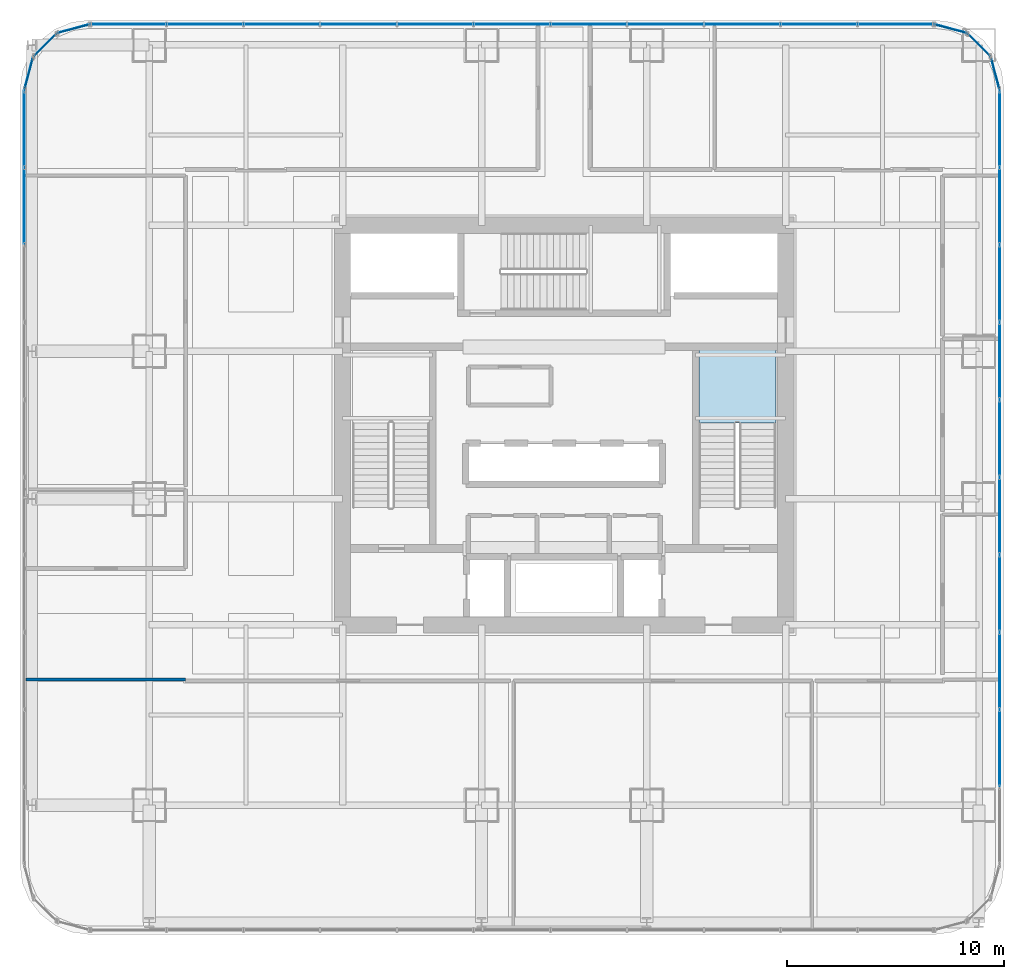
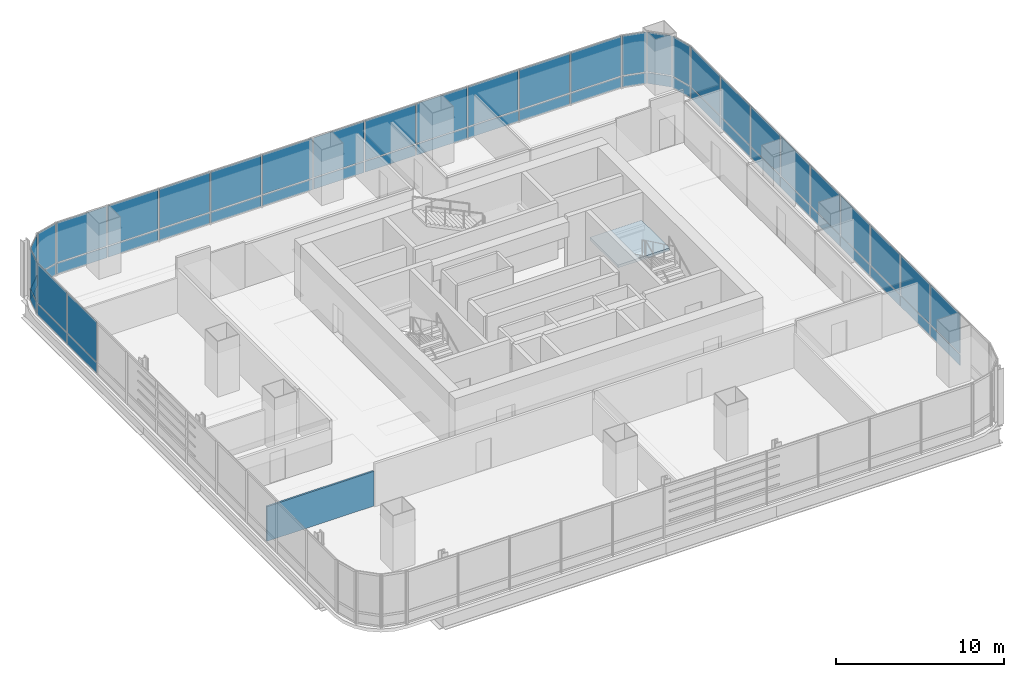
# One storey, part 27 of 36: 56 plates, 1 slab, 1 wall, 10 elements without a shape of their own.
"""IFC4 building model written with IfcOpenShell, lengths in metres."""

from ifc_helpers import new_model, si_unit, direction, frame, frame_2d, origin, origin_2d, place, context, subcontext, project, spatial, polyline, rectangle, outline, extrude, material, layer, layer_set, type_object, element, aggregate, save


model = new_model("IFC4")

# Units and contexts
model_context = context("Model", 3, precision=1e-05, world=origin(), true_north=direction((0.0, 1.0)))
body_context = subcontext(model_context, "Body", "Model", "MODEL_VIEW")
ifc_project = project(units=[si_unit("LENGTHUNIT", "METRE"), si_unit("AREAUNIT", "SQUARE_METRE"), si_unit("VOLUMEUNIT", "CUBIC_METRE"), si_unit("PLANEANGLEUNIT", "RADIAN"), si_unit("MASSUNIT", "GRAM", prefix="KILO")], contexts=[model_context])

# Site, building, storey
site_placement = place(None, origin())
site = spatial("IfcSite", under=ifc_project, at=site_placement, CompositionType="ELEMENT")
building_placement = place(site_placement, origin())
building = spatial("IfcBuilding", under=site, at=building_placement, Name="Punatoya Terracotta Tower", CompositionType="ELEMENT")
storey_placement = place(building_placement, frame((0.0, 0.0, 32.25)))
storey = spatial("IfcBuildingStorey", under=building, at=storey_placement, Name="L06", CompositionType="ELEMENT", Elevation=32.25)

# Curtain wall, plates
ifc_material_1 = material(Name="Aluminium 6063-T6 + Double Low-E Glass", Category="aluminium")
curtain_wall_type = type_object("IfcCurtainWallType", Name="CW-M1", PredefinedType="NOTDEFINED", material=ifc_material_1)
curtain_wall_1_placement = place(storey_placement, origin())
curtain_wall_1 = element("IfcCurtainWall", 1, at=curtain_wall_1_placement, inside=storey, type_object=curtain_wall_type, Name="L06 Curtain Wall CW-L06-E05-1", PredefinedType="NOTDEFINED")
ifc_material_2 = material(Name="Double Low-E Clear Vision Glass", Category="glass")
ifc_layer_1 = layer(ifc_material_2, 0.028076171875)
ifc_layer_set_1 = layer_set([ifc_layer_1], Name="Double Low-E Clear Vision Glass")
plate_type_1 = type_object("IfcPlateType", Name="PLT-GLZ-28", PredefinedType="CURTAIN_PANEL", material=ifc_layer_set_1)
plate_1_placement = place(storey_placement, frame((20.050048828125, -14.8857421875, 0.89013671875), z_axis=(0.0, 0.0, 1.0), x_axis=(0.0, 1.0, 0.0)))
plate_1 = element("IfcPlate", 2, at=plate_1_placement, type_object=plate_type_1, Name="CW-L06-E05-1 Vision Glass Panel 2", PredefinedType="CURTAIN_PANEL", context=body_context, shape_type="SweptSolid", body=[
    extrude(rectangle(XDim=3.482421875, YDim=0.028076171875, at=origin_2d()), origin(), (0.0, 0.0, 1.0), 2.8798828125),
])
plate_2_placement = place(storey_placement, frame((20.050048828125, -11.318359375, 0.89013671875), z_axis=(0.0, 0.0, 1.0), x_axis=(0.0, 1.0, 0.0)))
plate_2 = element("IfcPlate", 3, at=plate_2_placement, type_object=plate_type_1, Name="CW-L06-E05-1 Vision Glass Panel 3", PredefinedType="CURTAIN_PANEL", context=body_context, shape_type="SweptSolid", body=[
    extrude(rectangle(XDim=3.482421875, YDim=0.028076171875, at=origin_2d()), origin(), (0.0, 0.0, 1.0), 2.8798828125),
])
plate_3_placement = place(storey_placement, frame((20.050048828125, -7.751220703125, 0.89013671875), z_axis=(0.0, 0.0, 1.0), x_axis=(0.0, 1.0, 0.0)))
plate_3 = element("IfcPlate", 4, at=plate_3_placement, type_object=plate_type_1, Name="CW-L06-E05-1 Vision Glass Panel 4", PredefinedType="CURTAIN_PANEL", context=body_context, shape_type="SweptSolid", body=[
    extrude(rectangle(XDim=3.482421875, YDim=0.028076171875, at=origin_2d()), origin(), (0.0, 0.0, 1.0), 2.8798828125),
])
plate_4_placement = place(storey_placement, frame((20.050048828125, -4.18359375, 0.89013671875), z_axis=(0.0, 0.0, 1.0), x_axis=(0.0, 1.0, 0.0)))
plate_4 = element("IfcPlate", 5, at=plate_4_placement, type_object=plate_type_1, Name="CW-L06-E05-1 Vision Glass Panel 5", PredefinedType="CURTAIN_PANEL", context=body_context, shape_type="SweptSolid", body=[
    extrude(rectangle(XDim=3.482421875, YDim=0.028076171875, at=origin_2d()), origin(), (0.0, 0.0, 1.0), 2.8798828125),
])
plate_5_placement = place(storey_placement, frame((20.050048828125, -0.6162109375, 0.89013671875), z_axis=(0.0, 0.0, 1.0), x_axis=(0.0, 1.0, 0.0)))
plate_5 = element("IfcPlate", 6, at=plate_5_placement, type_object=plate_type_1, Name="CW-L06-E05-1 Vision Glass Panel 6", PredefinedType="CURTAIN_PANEL", context=body_context, shape_type="SweptSolid", body=[
    extrude(rectangle(XDim=3.482421875, YDim=0.028076171875, at=origin_2d()), origin(), (0.0, 0.0, 1.0), 2.8798828125),
])
plate_6_placement = place(storey_placement, frame((20.050048828125, 2.951171875, 0.89013671875), z_axis=(0.0, 0.0, 1.0), x_axis=(0.0, 1.0, 0.0)))
plate_6 = element("IfcPlate", 7, at=plate_6_placement, type_object=plate_type_1, Name="CW-L06-E05-1 Vision Glass Panel 7", PredefinedType="CURTAIN_PANEL", context=body_context, shape_type="SweptSolid", body=[
    extrude(rectangle(XDim=3.482421875, YDim=0.028076171875, at=origin_2d()), origin(), (0.0, 0.0, 1.0), 2.8798828125),
])
plate_7_placement = place(storey_placement, frame((20.050048828125, 6.518310546875, 0.89013671875), z_axis=(0.0, 0.0, 1.0), x_axis=(0.0, 1.0, 0.0)))
plate_7 = element("IfcPlate", 8, at=plate_7_placement, type_object=plate_type_1, Name="CW-L06-E05-1 Vision Glass Panel 8", PredefinedType="CURTAIN_PANEL", context=body_context, shape_type="SweptSolid", body=[
    extrude(rectangle(XDim=3.482421875, YDim=0.028076171875, at=origin_2d()), origin(), (0.0, 0.0, 1.0), 2.8798828125),
])
plate_8_placement = place(storey_placement, frame((20.050048828125, 10.085693359375, 0.89013671875), z_axis=(0.0, 0.0, 1.0), x_axis=(0.0, 1.0, 0.0)))
plate_8 = element("IfcPlate", 9, at=plate_8_placement, type_object=plate_type_1, Name="CW-L06-E05-1 Vision Glass Panel 9", PredefinedType="CURTAIN_PANEL", context=body_context, shape_type="SweptSolid", body=[
    extrude(rectangle(XDim=3.482421875, YDim=0.028076171875, at=origin_2d()), origin(), (0.0, 0.0, 1.0), 2.8798828125),
])
plate_9_placement = place(storey_placement, frame((20.050048828125, 13.6533203125, 0.89013671875), z_axis=(0.0, 0.0, 1.0), x_axis=(0.0, 1.0, 0.0)))
plate_9 = element("IfcPlate", 10, at=plate_9_placement, type_object=plate_type_1, Name="CW-L06-E05-1 Vision Glass Panel 10", PredefinedType="CURTAIN_PANEL", context=body_context, shape_type="SweptSolid", body=[
    extrude(rectangle(XDim=3.482421875, YDim=0.028076171875, at=origin_2d()), origin(), (0.0, 0.0, 1.0), 2.8798828125),
])

# Curtain wall, plate
curtain_wall_2_placement = place(storey_placement, origin())
curtain_wall_2 = element("IfcCurtainWall", 11, at=curtain_wall_2_placement, inside=storey, type_object=curtain_wall_type, Name="L06 Curtain Wall CW-L06-CRN06", PredefinedType="NOTDEFINED")
plate_10_placement = place(storey_placement, frame((19.848388671875, 16.193115234375, 0.89013671875), z_axis=(0.0, 0.0, 1.0), x_axis=(-0.257741620719, 0.966213877436, 0.0)))
plate_10 = element("IfcPlate", 12, at=plate_10_placement, type_object=plate_type_1, Name="CW-L06-CRN06 Vision Glass Panel 1", PredefinedType="CURTAIN_PANEL", context=body_context, shape_type="SweptSolid", body=[
    extrude(rectangle(XDim=1.47998046875, YDim=0.028076171875, at=origin_2d()), origin(), (0.0, 0.0, 1.0), 2.8798828125),
])

curtain_wall_3_placement = place(storey_placement, origin())
curtain_wall_3 = element("IfcCurtainWall", 13, at=curtain_wall_3_placement, inside=storey, type_object=curtain_wall_type, Name="L06 Curtain Wall CW-L06-CRN07", PredefinedType="NOTDEFINED")
plate_11_placement = place(storey_placement, frame((19.097900390625, 17.497802734375, 0.89013671875), z_axis=(0.0, 0.0, 1.0), x_axis=(-0.707106781187, 0.707106781187, 0.0)))
plate_11 = element("IfcPlate", 14, at=plate_11_placement, type_object=plate_type_1, Name="CW-L06-CRN07 Vision Glass Panel 1", PredefinedType="CURTAIN_PANEL", context=body_context, shape_type="SweptSolid", body=[
    extrude(rectangle(XDim=1.467041015625, YDim=0.028076171875, at=origin_2d()), origin(), (0.0, 0.0, 1.0), 2.8798828125),
])

curtain_wall_4_placement = place(storey_placement, origin())
curtain_wall_4 = element("IfcCurtainWall", 15, at=curtain_wall_4_placement, inside=storey, type_object=curtain_wall_type, Name="L06 Curtain Wall CW-L06-CRN08", PredefinedType="NOTDEFINED")
plate_12_placement = place(storey_placement, frame((17.79296875, 18.248291015625, 0.89013671875), z_axis=(0.0, 0.0, 1.0), x_axis=(-0.966213877436, 0.257741620719, 0.0)))
plate_12 = element("IfcPlate", 16, at=plate_12_placement, type_object=plate_type_1, Name="CW-L06-CRN08 Vision Glass Panel 1", PredefinedType="CURTAIN_PANEL", context=body_context, shape_type="SweptSolid", body=[
    extrude(rectangle(XDim=1.47998046875, YDim=0.028076171875, at=origin_2d()), origin(), (0.0, 0.0, 1.0), 2.8798828125),
])

# Curtain wall, plates
curtain_wall_5_placement = place(storey_placement, origin())
curtain_wall_5 = element("IfcCurtainWall", 17, at=curtain_wall_5_placement, inside=storey, type_object=curtain_wall_type, Name="L06 Curtain Wall CW-L06-N09-1", PredefinedType="NOTDEFINED")
plate_13_placement = place(storey_placement, frame((15.27001953125, 18.449951171875, 0.89013671875), z_axis=(0.0, 0.0, 1.0), x_axis=(-1.0, 0.0, 0.0)))
plate_13 = element("IfcPlate", 18, at=plate_13_placement, type_object=plate_type_1, Name="CW-L06-N09-1 Vision Glass Panel 1", PredefinedType="CURTAIN_PANEL", context=body_context, shape_type="SweptSolid", body=[
    extrude(rectangle(XDim=3.448974609375, YDim=0.028076171875, at=origin_2d()), origin(), (0.0, 0.0, 1.0), 2.8798828125),
])
plate_14_placement = place(storey_placement, frame((11.73583984375, 18.449951171875, 0.89013671875), z_axis=(0.0, 0.0, 1.0), x_axis=(-1.0, 0.0, 0.0)))
plate_14 = element("IfcPlate", 19, at=plate_14_placement, type_object=plate_type_1, Name="CW-L06-N09-1 Vision Glass Panel 2", PredefinedType="CURTAIN_PANEL", context=body_context, shape_type="SweptSolid", body=[
    extrude(rectangle(XDim=3.448974609375, YDim=0.028076171875, at=origin_2d()), origin(), (0.0, 0.0, 1.0), 2.8798828125),
])
plate_15_placement = place(storey_placement, frame((8.201904296875, 18.449951171875, 0.89013671875), z_axis=(0.0, 0.0, 1.0), x_axis=(-1.0, 0.0, 0.0)))
plate_15 = element("IfcPlate", 20, at=plate_15_placement, type_object=plate_type_1, Name="CW-L06-N09-1 Vision Glass Panel 3", PredefinedType="CURTAIN_PANEL", context=body_context, shape_type="SweptSolid", body=[
    extrude(rectangle(XDim=3.448974609375, YDim=0.028076171875, at=origin_2d()), origin(), (0.0, 0.0, 1.0), 2.8798828125),
])
plate_16_placement = place(storey_placement, frame((4.66796875, 18.449951171875, 0.89013671875), z_axis=(0.0, 0.0, 1.0), x_axis=(-1.0, 0.0, 0.0)))
plate_16 = element("IfcPlate", 21, at=plate_16_placement, type_object=plate_type_1, Name="CW-L06-N09-1 Vision Glass Panel 4", PredefinedType="CURTAIN_PANEL", context=body_context, shape_type="SweptSolid", body=[
    extrude(rectangle(XDim=3.448974609375, YDim=0.028076171875, at=origin_2d()), origin(), (0.0, 0.0, 1.0), 2.8798828125),
])
plate_17_placement = place(storey_placement, frame((1.134033203125, 18.449951171875, 0.89013671875), z_axis=(0.0, 0.0, 1.0), x_axis=(-1.0, 0.0, 0.0)))
plate_17 = element("IfcPlate", 22, at=plate_17_placement, type_object=plate_type_1, Name="CW-L06-N09-1 Vision Glass Panel 5", PredefinedType="CURTAIN_PANEL", context=body_context, shape_type="SweptSolid", body=[
    extrude(rectangle(XDim=3.448974609375, YDim=0.028076171875, at=origin_2d()), origin(), (0.0, 0.0, 1.0), 2.8798828125),
])
plate_18_placement = place(storey_placement, frame((-2.39990234375, 18.449951171875, 0.89013671875), z_axis=(0.0, 0.0, 1.0), x_axis=(-1.0, 0.0, 0.0)))
plate_18 = element("IfcPlate", 23, at=plate_18_placement, type_object=plate_type_1, Name="CW-L06-N09-1 Vision Glass Panel 6", PredefinedType="CURTAIN_PANEL", context=body_context, shape_type="SweptSolid", body=[
    extrude(rectangle(XDim=3.448974609375, YDim=0.028076171875, at=origin_2d()), origin(), (0.0, 0.0, 1.0), 2.8798828125),
])
plate_19_placement = place(storey_placement, frame((-5.93408203125, 18.449951171875, 0.89013671875), z_axis=(0.0, 0.0, 1.0), x_axis=(-1.0, 0.0, 0.0)))
plate_19 = element("IfcPlate", 24, at=plate_19_placement, type_object=plate_type_1, Name="CW-L06-N09-1 Vision Glass Panel 7", PredefinedType="CURTAIN_PANEL", context=body_context, shape_type="SweptSolid", body=[
    extrude(rectangle(XDim=3.448974609375, YDim=0.028076171875, at=origin_2d()), origin(), (0.0, 0.0, 1.0), 2.8798828125),
])
plate_20_placement = place(storey_placement, frame((-9.468017578125, 18.449951171875, 0.89013671875), z_axis=(0.0, 0.0, 1.0), x_axis=(-1.0, 0.0, 0.0)))
plate_20 = element("IfcPlate", 25, at=plate_20_placement, type_object=plate_type_1, Name="CW-L06-N09-1 Vision Glass Panel 8", PredefinedType="CURTAIN_PANEL", context=body_context, shape_type="SweptSolid", body=[
    extrude(rectangle(XDim=3.448974609375, YDim=0.028076171875, at=origin_2d()), origin(), (0.0, 0.0, 1.0), 2.8798828125),
])
plate_21_placement = place(storey_placement, frame((-13.001953125, 18.449951171875, 0.89013671875), z_axis=(0.0, 0.0, 1.0), x_axis=(-1.0, 0.0, 0.0)))
plate_21 = element("IfcPlate", 26, at=plate_21_placement, type_object=plate_type_1, Name="CW-L06-N09-1 Vision Glass Panel 9", PredefinedType="CURTAIN_PANEL", context=body_context, shape_type="SweptSolid", body=[
    extrude(rectangle(XDim=3.448974609375, YDim=0.028076171875, at=origin_2d()), origin(), (0.0, 0.0, 1.0), 2.8798828125),
])
plate_22_placement = place(storey_placement, frame((-16.535888671875, 18.449951171875, 0.89013671875), z_axis=(0.0, 0.0, 1.0), x_axis=(-1.0, 0.0, 0.0)))
plate_22 = element("IfcPlate", 27, at=plate_22_placement, type_object=plate_type_1, Name="CW-L06-N09-1 Vision Glass Panel 10", PredefinedType="CURTAIN_PANEL", context=body_context, shape_type="SweptSolid", body=[
    extrude(rectangle(XDim=3.448974609375, YDim=0.028076171875, at=origin_2d()), origin(), (0.0, 0.0, 1.0), 2.8798828125),
])
plate_23_placement = place(storey_placement, frame((-20.06982421875, 18.449951171875, 0.89013671875), z_axis=(0.0, 0.0, 1.0), x_axis=(-1.0, 0.0, 0.0)))
plate_23 = element("IfcPlate", 28, at=plate_23_placement, type_object=plate_type_1, Name="CW-L06-N09-1 Vision Glass Panel 11", PredefinedType="CURTAIN_PANEL", context=body_context, shape_type="SweptSolid", body=[
    extrude(rectangle(XDim=3.448974609375, YDim=0.028076171875, at=origin_2d()), origin(), (0.0, 0.0, 1.0), 2.8798828125),
])

# Curtain wall, plate
curtain_wall_6_placement = place(storey_placement, origin())
curtain_wall_6 = element("IfcCurtainWall", 29, at=curtain_wall_6_placement, inside=storey, type_object=curtain_wall_type, Name="L06 Curtain Wall CW-L06-CRN10", PredefinedType="NOTDEFINED")
plate_24_placement = place(storey_placement, frame((-22.593017578125, 18.248291015625, 0.89013671875), z_axis=(0.0, 0.0, 1.0), x_axis=(-0.966213877436, -0.257741620719, 0.0)))
plate_24 = element("IfcPlate", 30, at=plate_24_placement, type_object=plate_type_1, Name="CW-L06-CRN10 Vision Glass Panel 1", PredefinedType="CURTAIN_PANEL", context=body_context, shape_type="SweptSolid", body=[
    extrude(rectangle(XDim=1.47998046875, YDim=0.028076171875, at=origin_2d()), origin(), (0.0, 0.0, 1.0), 2.8798828125),
])

curtain_wall_7_placement = place(storey_placement, origin())
curtain_wall_7 = element("IfcCurtainWall", 31, at=curtain_wall_7_placement, inside=storey, type_object=curtain_wall_type, Name="L06 Curtain Wall CW-L06-CRN11", PredefinedType="NOTDEFINED")
plate_25_placement = place(storey_placement, frame((-23.89794921875, 17.497802734375, 0.89013671875), z_axis=(0.0, 0.0, 1.0), x_axis=(-0.707106781187, -0.707106781187, 0.0)))
plate_25 = element("IfcPlate", 32, at=plate_25_placement, type_object=plate_type_1, Name="CW-L06-CRN11 Vision Glass Panel 1", PredefinedType="CURTAIN_PANEL", context=body_context, shape_type="SweptSolid", body=[
    extrude(rectangle(XDim=1.467041015625, YDim=0.028076171875, at=origin_2d()), origin(), (0.0, 0.0, 1.0), 2.8798828125),
])

curtain_wall_8_placement = place(storey_placement, origin())
curtain_wall_8 = element("IfcCurtainWall", 33, at=curtain_wall_8_placement, inside=storey, type_object=curtain_wall_type, Name="L06 Curtain Wall CW-L06-CRN12", PredefinedType="NOTDEFINED")
plate_26_placement = place(storey_placement, frame((-24.648193359375, 16.193115234375, 0.89013671875), z_axis=(0.0, 0.0, 1.0), x_axis=(-0.257741620719, -0.966213877436, 0.0)))
plate_26 = element("IfcPlate", 34, at=plate_26_placement, type_object=plate_type_1, Name="CW-L06-CRN12 Vision Glass Panel 1", PredefinedType="CURTAIN_PANEL", context=body_context, shape_type="SweptSolid", body=[
    extrude(rectangle(XDim=1.47998046875, YDim=0.028076171875, at=origin_2d()), origin(), (0.0, 0.0, 1.0), 2.8798828125),
])

# Curtain wall, plates
curtain_wall_9_placement = place(storey_placement, origin())
curtain_wall_9 = element("IfcCurtainWall", 35, at=curtain_wall_9_placement, inside=storey, type_object=curtain_wall_type, Name="L06 Curtain Wall CW-L06-W13-1", PredefinedType="NOTDEFINED")
plate_27_placement = place(storey_placement, frame((-24.85009765625, 13.6533203125, 0.89013671875), z_axis=(0.0, 0.0, 1.0), x_axis=(0.0, -1.0, 0.0)))
plate_27 = element("IfcPlate", 36, at=plate_27_placement, type_object=plate_type_1, Name="CW-L06-W13-1 Vision Glass Panel 1", PredefinedType="CURTAIN_PANEL", context=body_context, shape_type="SweptSolid", body=[
    extrude(rectangle(XDim=3.482421875, YDim=0.028076171875, at=origin_2d()), origin(), (0.0, 0.0, 1.0), 2.8798828125),
])
plate_28_placement = place(storey_placement, frame((-24.85009765625, 10.085693359375, 0.89013671875), z_axis=(0.0, 0.0, 1.0), x_axis=(0.0, -1.0, 0.0)))
plate_28 = element("IfcPlate", 37, at=plate_28_placement, type_object=plate_type_1, Name="CW-L06-W13-1 Vision Glass Panel 2", PredefinedType="CURTAIN_PANEL", context=body_context, shape_type="SweptSolid", body=[
    extrude(rectangle(XDim=3.482421875, YDim=0.028076171875, at=origin_2d()), origin(), (0.0, 0.0, 1.0), 2.8798828125),
])

# Plate
ifc_material_3 = material(Name="Insulated Terracotta-Backed Spandrel Panel", Category="masonry")
ifc_layer_2 = layer(ifc_material_3, 0.044921875)
ifc_layer_set_2 = layer_set([ifc_layer_2], Name="Insulated Terracotta-Backed Spandrel Panel")
plate_type_2 = type_object("IfcPlateType", Name="PLT-SPN-45", PredefinedType="CURTAIN_PANEL", material=ifc_layer_set_2)
plate_29_placement = place(storey_placement, frame((20.050048828125, -14.8857421875, 0.0400390625), z_axis=(0.0, 0.0, 1.0), x_axis=(0.0, 1.0, 0.0)))
plate_29 = element("IfcPlate", 38, at=plate_29_placement, type_object=plate_type_2, Name="CW-L06-E05-1 Terracotta Spandrel Panel 2", PredefinedType="CURTAIN_PANEL", context=body_context, shape_type="SweptSolid", body=[
    extrude(rectangle(XDim=3.482421875, YDim=0.044921875, at=origin_2d()), origin(), (0.0, 0.0, 1.0), 0.77490234375),
])

plate_30_placement = place(storey_placement, frame((20.050048828125, -11.318359375, 0.0400390625), z_axis=(0.0, 0.0, 1.0), x_axis=(0.0, 1.0, 0.0)))
plate_30 = element("IfcPlate", 39, at=plate_30_placement, type_object=plate_type_2, Name="CW-L06-E05-1 Terracotta Spandrel Panel 3", PredefinedType="CURTAIN_PANEL", context=body_context, shape_type="SweptSolid", body=[
    extrude(rectangle(XDim=3.482421875, YDim=0.044921875, at=origin_2d()), origin(), (0.0, 0.0, 1.0), 0.77490234375),
])

plate_31_placement = place(storey_placement, frame((20.050048828125, -7.751220703125, 0.0400390625), z_axis=(0.0, 0.0, 1.0), x_axis=(0.0, 1.0, 0.0)))
plate_31 = element("IfcPlate", 40, at=plate_31_placement, type_object=plate_type_2, Name="CW-L06-E05-1 Terracotta Spandrel Panel 4", PredefinedType="CURTAIN_PANEL", context=body_context, shape_type="SweptSolid", body=[
    extrude(rectangle(XDim=3.482421875, YDim=0.044921875, at=origin_2d()), origin(), (0.0, 0.0, 1.0), 0.77490234375),
])

plate_32_placement = place(storey_placement, frame((20.050048828125, -4.18359375, 0.0400390625), z_axis=(0.0, 0.0, 1.0), x_axis=(0.0, 1.0, 0.0)))
plate_32 = element("IfcPlate", 41, at=plate_32_placement, type_object=plate_type_2, Name="CW-L06-E05-1 Terracotta Spandrel Panel 5", PredefinedType="CURTAIN_PANEL", context=body_context, shape_type="SweptSolid", body=[
    extrude(rectangle(XDim=3.482421875, YDim=0.044921875, at=origin_2d()), origin(), (0.0, 0.0, 1.0), 0.77490234375),
])

plate_33_placement = place(storey_placement, frame((20.050048828125, -0.6162109375, 0.0400390625), z_axis=(0.0, 0.0, 1.0), x_axis=(0.0, 1.0, 0.0)))
plate_33 = element("IfcPlate", 42, at=plate_33_placement, type_object=plate_type_2, Name="CW-L06-E05-1 Terracotta Spandrel Panel 6", PredefinedType="CURTAIN_PANEL", context=body_context, shape_type="SweptSolid", body=[
    extrude(rectangle(XDim=3.482421875, YDim=0.044921875, at=origin_2d()), origin(), (0.0, 0.0, 1.0), 0.77490234375),
])

plate_34_placement = place(storey_placement, frame((20.050048828125, 2.951171875, 0.0400390625), z_axis=(0.0, 0.0, 1.0), x_axis=(0.0, 1.0, 0.0)))
plate_34 = element("IfcPlate", 43, at=plate_34_placement, type_object=plate_type_2, Name="CW-L06-E05-1 Terracotta Spandrel Panel 7", PredefinedType="CURTAIN_PANEL", context=body_context, shape_type="SweptSolid", body=[
    extrude(rectangle(XDim=3.482421875, YDim=0.044921875, at=origin_2d()), origin(), (0.0, 0.0, 1.0), 0.77490234375),
])

plate_35_placement = place(storey_placement, frame((20.050048828125, 6.518310546875, 0.0400390625), z_axis=(0.0, 0.0, 1.0), x_axis=(0.0, 1.0, 0.0)))
plate_35 = element("IfcPlate", 44, at=plate_35_placement, type_object=plate_type_2, Name="CW-L06-E05-1 Terracotta Spandrel Panel 8", PredefinedType="CURTAIN_PANEL", context=body_context, shape_type="SweptSolid", body=[
    extrude(rectangle(XDim=3.482421875, YDim=0.044921875, at=origin_2d()), origin(), (0.0, 0.0, 1.0), 0.77490234375),
])

plate_36_placement = place(storey_placement, frame((20.050048828125, 10.085693359375, 0.0400390625), z_axis=(0.0, 0.0, 1.0), x_axis=(0.0, 1.0, 0.0)))
plate_36 = element("IfcPlate", 45, at=plate_36_placement, type_object=plate_type_2, Name="CW-L06-E05-1 Terracotta Spandrel Panel 9", PredefinedType="CURTAIN_PANEL", context=body_context, shape_type="SweptSolid", body=[
    extrude(rectangle(XDim=3.482421875, YDim=0.044921875, at=origin_2d()), origin(), (0.0, 0.0, 1.0), 0.77490234375),
])

plate_37_placement = place(storey_placement, frame((20.050048828125, 13.6533203125, 0.0400390625), z_axis=(0.0, 0.0, 1.0), x_axis=(0.0, 1.0, 0.0)))
plate_37 = element("IfcPlate", 46, at=plate_37_placement, type_object=plate_type_2, Name="CW-L06-E05-1 Terracotta Spandrel Panel 10", PredefinedType="CURTAIN_PANEL", context=body_context, shape_type="SweptSolid", body=[
    extrude(rectangle(XDim=3.482421875, YDim=0.044921875, at=origin_2d()), origin(), (0.0, 0.0, 1.0), 0.77490234375),
])

aggregate(curtain_wall_1, [plate_29, plate_1, plate_30, plate_2, plate_31, plate_3, plate_32, plate_4, plate_33, plate_5, plate_34, plate_6, plate_35, plate_7, plate_36, plate_8, plate_37, plate_9])

plate_38_placement = place(storey_placement, frame((19.848388671875, 16.193115234375, 0.0400390625), z_axis=(0.0, 0.0, 1.0), x_axis=(-0.257741620719, 0.966213877436, 0.0)))
plate_38 = element("IfcPlate", 47, at=plate_38_placement, type_object=plate_type_2, Name="CW-L06-CRN06 Terracotta Spandrel Panel 1", PredefinedType="CURTAIN_PANEL", context=body_context, shape_type="SweptSolid", body=[
    extrude(rectangle(XDim=1.47998046875, YDim=0.044921875, at=origin_2d()), origin(), (0.0, 0.0, 1.0), 0.77490234375),
])

aggregate(curtain_wall_2, [plate_38, plate_10])

plate_39_placement = place(storey_placement, frame((19.097900390625, 17.497802734375, 0.0400390625), z_axis=(0.0, 0.0, 1.0), x_axis=(-0.707106781187, 0.707106781187, 0.0)))
plate_39 = element("IfcPlate", 48, at=plate_39_placement, type_object=plate_type_2, Name="CW-L06-CRN07 Terracotta Spandrel Panel 1", PredefinedType="CURTAIN_PANEL", context=body_context, shape_type="SweptSolid", body=[
    extrude(rectangle(XDim=1.467041015625, YDim=0.044921875, at=origin_2d()), origin(), (0.0, 0.0, 1.0), 0.77490234375),
])

aggregate(curtain_wall_3, [plate_39, plate_11])

plate_40_placement = place(storey_placement, frame((17.79296875, 18.248291015625, 0.0400390625), z_axis=(0.0, 0.0, 1.0), x_axis=(-0.966213877436, 0.257741620719, 0.0)))
plate_40 = element("IfcPlate", 49, at=plate_40_placement, type_object=plate_type_2, Name="CW-L06-CRN08 Terracotta Spandrel Panel 1", PredefinedType="CURTAIN_PANEL", context=body_context, shape_type="SweptSolid", body=[
    extrude(rectangle(XDim=1.47998046875, YDim=0.044921875, at=origin_2d()), origin(), (0.0, 0.0, 1.0), 0.77490234375),
])

aggregate(curtain_wall_4, [plate_40, plate_12])

plate_41_placement = place(storey_placement, frame((15.27001953125, 18.449951171875, 0.0400390625), z_axis=(0.0, 0.0, 1.0), x_axis=(-1.0, 0.0, 0.0)))
plate_41 = element("IfcPlate", 50, at=plate_41_placement, type_object=plate_type_2, Name="CW-L06-N09-1 Terracotta Spandrel Panel 1", PredefinedType="CURTAIN_PANEL", context=body_context, shape_type="SweptSolid", body=[
    extrude(rectangle(XDim=3.448974609375, YDim=0.044921875, at=origin_2d()), origin(), (0.0, 0.0, 1.0), 0.77490234375),
])

plate_42_placement = place(storey_placement, frame((11.73583984375, 18.449951171875, 0.0400390625), z_axis=(0.0, 0.0, 1.0), x_axis=(-1.0, 0.0, 0.0)))
plate_42 = element("IfcPlate", 51, at=plate_42_placement, type_object=plate_type_2, Name="CW-L06-N09-1 Terracotta Spandrel Panel 2", PredefinedType="CURTAIN_PANEL", context=body_context, shape_type="SweptSolid", body=[
    extrude(rectangle(XDim=3.448974609375, YDim=0.044921875, at=origin_2d()), origin(), (0.0, 0.0, 1.0), 0.77490234375),
])

plate_43_placement = place(storey_placement, frame((8.201904296875, 18.449951171875, 0.0400390625), z_axis=(0.0, 0.0, 1.0), x_axis=(-1.0, 0.0, 0.0)))
plate_43 = element("IfcPlate", 52, at=plate_43_placement, type_object=plate_type_2, Name="CW-L06-N09-1 Terracotta Spandrel Panel 3", PredefinedType="CURTAIN_PANEL", context=body_context, shape_type="SweptSolid", body=[
    extrude(rectangle(XDim=3.448974609375, YDim=0.044921875, at=origin_2d()), origin(), (0.0, 0.0, 1.0), 0.77490234375),
])

plate_44_placement = place(storey_placement, frame((4.66796875, 18.449951171875, 0.0400390625), z_axis=(0.0, 0.0, 1.0), x_axis=(-1.0, 0.0, 0.0)))
plate_44 = element("IfcPlate", 53, at=plate_44_placement, type_object=plate_type_2, Name="CW-L06-N09-1 Terracotta Spandrel Panel 4", PredefinedType="CURTAIN_PANEL", context=body_context, shape_type="SweptSolid", body=[
    extrude(rectangle(XDim=3.448974609375, YDim=0.044921875, at=origin_2d()), origin(), (0.0, 0.0, 1.0), 0.77490234375),
])

plate_45_placement = place(storey_placement, frame((1.134033203125, 18.449951171875, 0.0400390625), z_axis=(0.0, 0.0, 1.0), x_axis=(-1.0, 0.0, 0.0)))
plate_45 = element("IfcPlate", 54, at=plate_45_placement, type_object=plate_type_2, Name="CW-L06-N09-1 Terracotta Spandrel Panel 5", PredefinedType="CURTAIN_PANEL", context=body_context, shape_type="SweptSolid", body=[
    extrude(rectangle(XDim=3.448974609375, YDim=0.044921875, at=origin_2d()), origin(), (0.0, 0.0, 1.0), 0.77490234375),
])

plate_46_placement = place(storey_placement, frame((-2.39990234375, 18.449951171875, 0.0400390625), z_axis=(0.0, 0.0, 1.0), x_axis=(-1.0, 0.0, 0.0)))
plate_46 = element("IfcPlate", 55, at=plate_46_placement, type_object=plate_type_2, Name="CW-L06-N09-1 Terracotta Spandrel Panel 6", PredefinedType="CURTAIN_PANEL", context=body_context, shape_type="SweptSolid", body=[
    extrude(rectangle(XDim=3.448974609375, YDim=0.044921875, at=origin_2d()), origin(), (0.0, 0.0, 1.0), 0.77490234375),
])

plate_47_placement = place(storey_placement, frame((-5.93408203125, 18.449951171875, 0.0400390625), z_axis=(0.0, 0.0, 1.0), x_axis=(-1.0, 0.0, 0.0)))
plate_47 = element("IfcPlate", 56, at=plate_47_placement, type_object=plate_type_2, Name="CW-L06-N09-1 Terracotta Spandrel Panel 7", PredefinedType="CURTAIN_PANEL", context=body_context, shape_type="SweptSolid", body=[
    extrude(rectangle(XDim=3.448974609375, YDim=0.044921875, at=origin_2d()), origin(), (0.0, 0.0, 1.0), 0.77490234375),
])

plate_48_placement = place(storey_placement, frame((-9.468017578125, 18.449951171875, 0.0400390625), z_axis=(0.0, 0.0, 1.0), x_axis=(-1.0, 0.0, 0.0)))
plate_48 = element("IfcPlate", 57, at=plate_48_placement, type_object=plate_type_2, Name="CW-L06-N09-1 Terracotta Spandrel Panel 8", PredefinedType="CURTAIN_PANEL", context=body_context, shape_type="SweptSolid", body=[
    extrude(rectangle(XDim=3.448974609375, YDim=0.044921875, at=origin_2d()), origin(), (0.0, 0.0, 1.0), 0.77490234375),
])

plate_49_placement = place(storey_placement, frame((-13.001953125, 18.449951171875, 0.0400390625), z_axis=(0.0, 0.0, 1.0), x_axis=(-1.0, 0.0, 0.0)))
plate_49 = element("IfcPlate", 58, at=plate_49_placement, type_object=plate_type_2, Name="CW-L06-N09-1 Terracotta Spandrel Panel 9", PredefinedType="CURTAIN_PANEL", context=body_context, shape_type="SweptSolid", body=[
    extrude(rectangle(XDim=3.448974609375, YDim=0.044921875, at=origin_2d()), origin(), (0.0, 0.0, 1.0), 0.77490234375),
])

plate_50_placement = place(storey_placement, frame((-16.535888671875, 18.449951171875, 0.0400390625), z_axis=(0.0, 0.0, 1.0), x_axis=(-1.0, 0.0, 0.0)))
plate_50 = element("IfcPlate", 59, at=plate_50_placement, type_object=plate_type_2, Name="CW-L06-N09-1 Terracotta Spandrel Panel 10", PredefinedType="CURTAIN_PANEL", context=body_context, shape_type="SweptSolid", body=[
    extrude(rectangle(XDim=3.448974609375, YDim=0.044921875, at=origin_2d()), origin(), (0.0, 0.0, 1.0), 0.77490234375),
])

plate_51_placement = place(storey_placement, frame((-20.06982421875, 18.449951171875, 0.0400390625), z_axis=(0.0, 0.0, 1.0), x_axis=(-1.0, 0.0, 0.0)))
plate_51 = element("IfcPlate", 60, at=plate_51_placement, type_object=plate_type_2, Name="CW-L06-N09-1 Terracotta Spandrel Panel 11", PredefinedType="CURTAIN_PANEL", context=body_context, shape_type="SweptSolid", body=[
    extrude(rectangle(XDim=3.448974609375, YDim=0.044921875, at=origin_2d()), origin(), (0.0, 0.0, 1.0), 0.77490234375),
])

aggregate(curtain_wall_5, [plate_41, plate_13, plate_42, plate_14, plate_43, plate_15, plate_44, plate_16, plate_45, plate_17, plate_46, plate_18, plate_47, plate_19, plate_48, plate_20, plate_49, plate_21, plate_50, plate_22, plate_51, plate_23])

plate_52_placement = place(storey_placement, frame((-22.593017578125, 18.248291015625, 0.0400390625), z_axis=(0.0, 0.0, 1.0), x_axis=(-0.966213877436, -0.257741620719, 0.0)))
plate_52 = element("IfcPlate", 61, at=plate_52_placement, type_object=plate_type_2, Name="CW-L06-CRN10 Terracotta Spandrel Panel 1", PredefinedType="CURTAIN_PANEL", context=body_context, shape_type="SweptSolid", body=[
    extrude(rectangle(XDim=1.47998046875, YDim=0.044921875, at=origin_2d()), origin(), (0.0, 0.0, 1.0), 0.77490234375),
])

aggregate(curtain_wall_6, [plate_52, plate_24])

plate_53_placement = place(storey_placement, frame((-23.89794921875, 17.497802734375, 0.0400390625), z_axis=(0.0, 0.0, 1.0), x_axis=(-0.707106781187, -0.707106781187, 0.0)))
plate_53 = element("IfcPlate", 62, at=plate_53_placement, type_object=plate_type_2, Name="CW-L06-CRN11 Terracotta Spandrel Panel 1", PredefinedType="CURTAIN_PANEL", context=body_context, shape_type="SweptSolid", body=[
    extrude(rectangle(XDim=1.467041015625, YDim=0.044921875, at=origin_2d()), origin(), (0.0, 0.0, 1.0), 0.77490234375),
])

aggregate(curtain_wall_7, [plate_53, plate_25])

plate_54_placement = place(storey_placement, frame((-24.648193359375, 16.193115234375, 0.0400390625), z_axis=(0.0, 0.0, 1.0), x_axis=(-0.257741620719, -0.966213877436, 0.0)))
plate_54 = element("IfcPlate", 63, at=plate_54_placement, type_object=plate_type_2, Name="CW-L06-CRN12 Terracotta Spandrel Panel 1", PredefinedType="CURTAIN_PANEL", context=body_context, shape_type="SweptSolid", body=[
    extrude(rectangle(XDim=1.47998046875, YDim=0.044921875, at=origin_2d()), origin(), (0.0, 0.0, 1.0), 0.77490234375),
])

aggregate(curtain_wall_8, [plate_54, plate_26])

plate_55_placement = place(storey_placement, frame((-24.85009765625, 13.6533203125, 0.0400390625), z_axis=(0.0, 0.0, 1.0), x_axis=(0.0, -1.0, 0.0)))
plate_55 = element("IfcPlate", 64, at=plate_55_placement, type_object=plate_type_2, Name="CW-L06-W13-1 Terracotta Spandrel Panel 1", PredefinedType="CURTAIN_PANEL", context=body_context, shape_type="SweptSolid", body=[
    extrude(rectangle(XDim=3.482421875, YDim=0.044921875, at=origin_2d()), origin(), (0.0, 0.0, 1.0), 0.77490234375),
])

plate_56_placement = place(storey_placement, frame((-24.85009765625, 10.085693359375, 0.0400390625), z_axis=(0.0, 0.0, 1.0), x_axis=(0.0, -1.0, 0.0)))
plate_56 = element("IfcPlate", 65, at=plate_56_placement, type_object=plate_type_2, Name="CW-L06-W13-1 Terracotta Spandrel Panel 2", PredefinedType="CURTAIN_PANEL", context=body_context, shape_type="SweptSolid", body=[
    extrude(rectangle(XDim=3.482421875, YDim=0.044921875, at=origin_2d()), origin(), (0.0, 0.0, 1.0), 0.77490234375),
])

aggregate(curtain_wall_9, [plate_55, plate_27, plate_56, plate_28])

# Stair, slab
ifc_material_4 = material(Name="Concrete C40/50", Category="concrete")
stair_type = type_object("IfcStairType", Name="STR-LOB-1650", PredefinedType="HALF_TURN_STAIR", material=ifc_material_4)
stair_placement = place(storey_placement, origin())
stair = element("IfcStair", 66, at=stair_placement, inside=storey, type_object=stair_type, Name="L06 Protected Core Exit Stair ST-2", PredefinedType="HALF_TURN_STAIR")
ifc_layer_3 = layer(ifc_material_4, 0.179931640625)
ifc_layer_set_3 = layer_set([ifc_layer_3], Name="Concrete C40/50")
slab_type = type_object("IfcSlabType", Name="SLB-LND-180", PredefinedType="LANDING", material=ifc_layer_set_3)
slab_placement = place(storey_placement, frame((0.0, 0.0, 1.824951171875)))
slab = element("IfcSlab", 67, at=slab_placement, type_object=slab_type, Name="ST-2 landing 1", PredefinedType="LANDING", context=body_context, shape_type="SweptSolid", body=[
    extrude(outline(polyline([(9.75, 0.10009765625), (9.75, 3.449951171875), (6.199951171875, 3.449951171875), (6.199951171875, 0.10009765625), (9.75, 0.10009765625)])), origin(), (0.0, 0.0, 1.0), 0.199951171875),
])
aggregate(stair, [slab])

# Wall
ifc_material_5 = material(Name="Gypsum Partition + Steel Stud", Category="steel")
ifc_layer_4 = layer(ifc_material_5, 0.1201171875)
ifc_layer_set_4 = layer_set([ifc_layer_4], Name="Gypsum Partition + Steel Stud")
wall_type = type_object("IfcWallType", Name="WL-OFF-120", PredefinedType="PARTITIONING", material=ifc_layer_set_4)
wall_placement = place(storey_placement, frame((-24.77001953125, -11.7099609375, 0.0), z_axis=(0.0, 0.0, 1.0), x_axis=(1.0, 0.0, 0.0)))
element("IfcWall", 68, at=wall_placement, inside=storey, type_object=wall_type, Name="L06 Analytical Practice Office Partition 16", PredefinedType="PARTITIONING", context=body_context, shape_type="SweptSolid", body=[
    extrude(rectangle(XDim=7.35009765625, YDim=0.1201171875, at=frame_2d((3.675048828125, 0.0))), origin(), (0.0, 0.0, 1.0), 2.52392578125),
])

save(model, "model.ifc")
